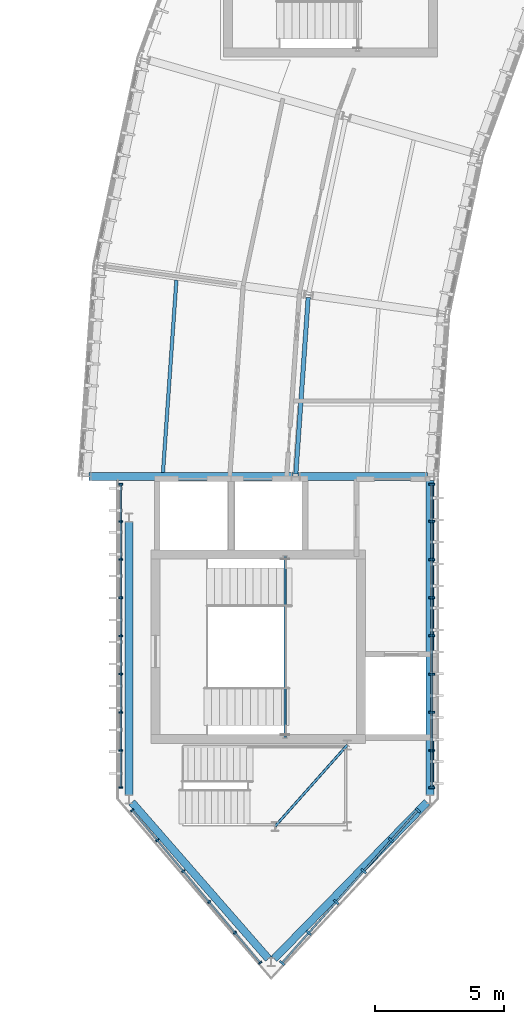
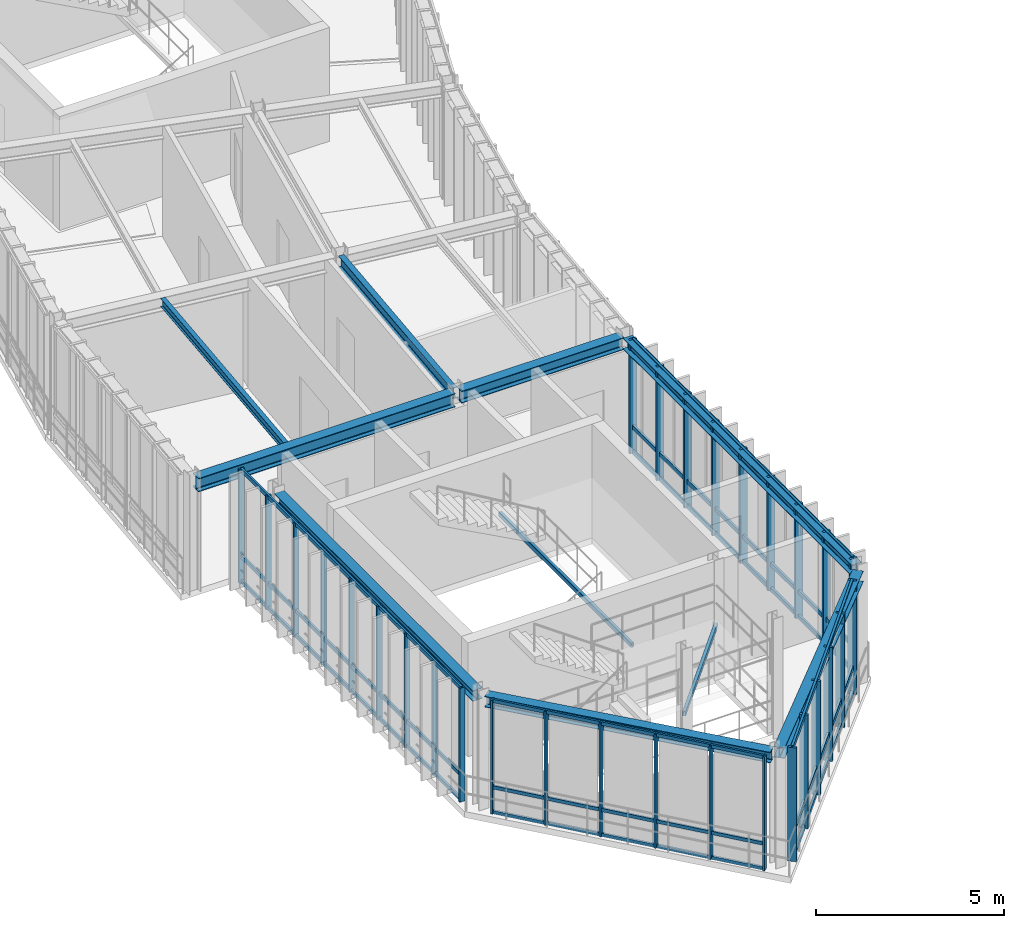
# One storey, part 8 of 41: 44 members, 8 beams, 4 elements without a shape of their own.
"""IFC4 building model written with IfcOpenShell, lengths in metres."""

from ifc_helpers import new_model, si_unit, direction, frame, origin, origin_2d, place, context, subcontext, project, spatial, rectangle, hollow_rectangle, i_section, extrude, material, layer, layer_set, material_profile, profile_set, type_object, element, aggregate, save


model = new_model("IFC4")

# Units and contexts
model_context = context("Model", 3, precision=1e-05, world=origin(), true_north=direction((0.0, 1.0)))
body_context = subcontext(model_context, "Body", "Model", "MODEL_VIEW")
ifc_project = project(units=[si_unit("LENGTHUNIT", "METRE"), si_unit("AREAUNIT", "SQUARE_METRE"), si_unit("VOLUMEUNIT", "CUBIC_METRE"), si_unit("PLANEANGLEUNIT", "RADIAN"), si_unit("MASSUNIT", "GRAM", prefix="KILO"), si_unit("THERMODYNAMICTEMPERATUREUNIT", "KELVIN"), si_unit("POWERUNIT", "WATT")], contexts=[model_context])

# Site, building, storey
site_placement = place(None, origin())
site = spatial("IfcSite", under=ifc_project, at=site_placement, CompositionType="ELEMENT")
building_placement = place(site_placement, origin())
building = spatial("IfcBuilding", under=site, at=building_placement, Name="Solvatero Civic Police Headquarters", CompositionType="ELEMENT")
storey_placement = place(building_placement, frame((0.0, 0.0, 17.699951171875)))
storey = spatial("IfcBuildingStorey", under=building, at=storey_placement, Name="L04", CompositionType="ELEMENT", Elevation=17.699951171875)

# Beams
ifc_material_1 = material(Name="Steel S355", Category="steel")
ifc_material_profile_1 = material_profile(ifc_material_1, i_section(OverallWidth=0.300048828125, OverallDepth=0.35009765625, WebThickness=0.010009765625, FlangeThickness=0.017578125, FilletRadius=0.027099609375, at=origin_2d()), Name="HEA 360")
ifc_profile_set_1 = profile_set([ifc_material_profile_1], Name="Steel S355")
beam_type_1 = type_object("IfcBeamType", Name="BM-ST-HEA360", PredefinedType="SPANDREL", material=ifc_profile_set_1)
beam_1_placement = place(storey_placement, frame((37.0, 24.239990234375, 3.525146484375), z_axis=(0.0, -1.0, 0.0), x_axis=(1.0, 0.0, 0.0)))
element("IfcBeam", 1, at=beam_1_placement, inside=storey, type_object=beam_type_1, Name="Perimeter / radial spandrel beam BM-R2-L04-PROW-W", PredefinedType="SPANDREL", context=body_context, shape_type="SweptSolid", body=[
    extrude(i_section(OverallWidth=0.300048828125, OverallDepth=0.35009765625, WebThickness=0.010009765625, FlangeThickness=0.017578125, FilletRadius=0.027099609375, at=origin_2d()), origin(), (0.0, 0.0, 1.0), 10.580078125),
])
beam_2_placement = place(storey_placement, frame((37.105224609375, 13.37939453125, 3.525146484375), z_axis=(0.657663937616, -0.753311452959, 0.0), x_axis=(0.753311452959, 0.657663937616, 0.0)))
element("IfcBeam", 2, at=beam_2_placement, inside=storey, type_object=beam_type_1, Name="Perimeter / radial spandrel beam BM-R2-L04-PROW-SW", PredefinedType="SPANDREL", context=body_context, shape_type="SweptSolid", body=[
    extrude(i_section(OverallWidth=0.300048828125, OverallDepth=0.35009765625, WebThickness=0.010009765625, FlangeThickness=0.017578125, FilletRadius=0.027099609375, at=origin_2d()), origin(), (0.0, 0.0, 1.0), 8.04296875),
])
beam_3_placement = place(storey_placement, frame((42.61181640625, 7.314453125, 3.525146484375), z_axis=(0.698523042205, 0.715587562433, 0.0), x_axis=(-0.715587562433, 0.698523042205, 0.0)))
element("IfcBeam", 3, at=beam_3_placement, inside=storey, type_object=beam_type_1, Name="Perimeter / radial spandrel beam BM-R2-L04-PROW-SE", PredefinedType="SPANDREL", context=body_context, shape_type="SweptSolid", body=[
    extrude(i_section(OverallWidth=0.300048828125, OverallDepth=0.35009765625, WebThickness=0.010009765625, FlangeThickness=0.017578125, FilletRadius=0.027099609375, at=origin_2d()), origin(), (0.0, 0.0, 1.0), 8.48388671875),
])
beam_4_placement = place(storey_placement, frame((48.64990234375, 13.659912109375, 3.525146484375), z_axis=(0.0, 1.0, 0.0), x_axis=(-1.0, 0.0, 0.0)))
element("IfcBeam", 4, at=beam_4_placement, inside=storey, type_object=beam_type_1, Name="Perimeter / radial spandrel beam BM-R2-L04-PROW-E", PredefinedType="SPANDREL", context=body_context, shape_type="SweptSolid", body=[
    extrude(i_section(OverallWidth=0.300048828125, OverallDepth=0.35009765625, WebThickness=0.010009765625, FlangeThickness=0.017578125, FilletRadius=0.027099609375, at=origin_2d()), origin(), (0.0, 0.0, 1.0), 12.18017578125),
])
ifc_material_profile_2 = material_profile(ifc_material_1, i_section(OverallWidth=0.300048828125, OverallDepth=0.389892578125, WebThickness=0.010986328125, FlangeThickness=0.01904296875, FilletRadius=0.027099609375, at=origin_2d()), Name="HEA 400")
ifc_profile_set_2 = profile_set([ifc_material_profile_2], Name="Steel S355")
beam_type_2 = type_object("IfcBeamType", Name="BM-ST-HEA400", PredefinedType="BEAM", material=ifc_profile_set_2)
beam_5_placement = place(storey_placement, frame((48.550048828125, 26.0, 3.505126953125), z_axis=(-1.0, 0.0, 0.0), x_axis=(0.0, -1.0, 0.0)))
element("IfcBeam", 5, at=beam_5_placement, inside=storey, type_object=beam_type_2, Name="Primary girder BM-R2-L04-ARC-RAD1-S12", PredefinedType="BEAM", context=body_context, shape_type="SweptSolid", body=[
    extrude(i_section(OverallWidth=0.300048828125, OverallDepth=0.389892578125, WebThickness=0.010986328125, FlangeThickness=0.01904296875, FilletRadius=0.027099609375, at=origin_2d()), origin(), (0.0, 0.0, 1.0), 5.0),
])
ifc_material_profile_3 = material_profile(ifc_material_1, i_section(OverallWidth=0.300048828125, OverallDepth=0.43994140625, WebThickness=0.011474609375, FlangeThickness=0.02099609375, FilletRadius=0.027099609375, at=origin_2d()), Name="HEA 450")
ifc_profile_set_3 = profile_set([ifc_material_profile_3], Name="Steel S355")
beam_type_3 = type_object("IfcBeamType", Name="BM-ST-HEA450", PredefinedType="BEAM", material=ifc_profile_set_3)
beam_6_placement = place(storey_placement, frame((43.35009765625, 26.0, 3.47998046875), z_axis=(-1.0, 0.0, 0.0), x_axis=(0.0, -1.0, 0.0)))
element("IfcBeam", 6, at=beam_6_placement, inside=storey, type_object=beam_type_3, Name="Primary girder BM-R2-L04-ARC-RAD2-S12", PredefinedType="BEAM", context=body_context, shape_type="SweptSolid", body=[
    extrude(i_section(OverallWidth=0.300048828125, OverallDepth=0.43994140625, WebThickness=0.011474609375, FlangeThickness=0.02099609375, FilletRadius=0.027099609375, at=origin_2d()), origin(), (0.0, 0.0, 1.0), 7.900146484375),
])
ifc_material_profile_4 = material_profile(ifc_material_1, i_section(OverallWidth=0.135009765625, OverallDepth=0.27001953125, WebThickness=0.006591796875, FlangeThickness=0.01025390625, FilletRadius=0.014892578125, at=origin_2d()), Name="IPE 270")
ifc_profile_set_4 = profile_set([ifc_material_profile_4], Name="Steel S355")
beam_type_4 = type_object("IfcBeamType", Name="BM-ST-IPE270", PredefinedType="BEAM", material=ifc_profile_set_4)
beam_7_placement = place(storey_placement, frame((38.83154296875, 33.602294921875, 3.56494140625), z_axis=(-0.069737421409, -0.997565382346, 0.0), x_axis=(0.997565382346, -0.069737421409, 0.0)))
element("IfcBeam", 7, at=beam_7_placement, inside=storey, type_object=beam_type_4, Name="Composite floor beam BM-R2-L04-ARC-CS2-B12", PredefinedType="BEAM", context=body_context, shape_type="SweptSolid", body=[
    extrude(i_section(OverallWidth=0.135009765625, OverallDepth=0.27001953125, WebThickness=0.006591796875, FlangeThickness=0.01025390625, FilletRadius=0.014892578125, at=origin_2d()), origin(), (0.0, 0.0, 1.0), 7.470947265625),
])
ifc_material_profile_5 = material_profile(ifc_material_1, i_section(OverallWidth=0.169921875, OverallDepth=0.360107421875, WebThickness=0.008056640625, FlangeThickness=0.0126953125, FilletRadius=0.01806640625, at=origin_2d()), Name="IPE 360")
ifc_profile_set_5 = profile_set([ifc_material_profile_5], Name="Steel S355")
beam_type_5 = type_object("IfcBeamType", Name="BM-ST-IPE360", PredefinedType="BEAM", material=ifc_profile_set_5)
beam_8_placement = place(storey_placement, frame((43.934814453125, 32.935302734375, 3.52001953125), z_axis=(-0.069727722696, -0.997566060313, 0.0), x_axis=(0.997566060313, -0.069727722696, 0.0)))
element("IfcBeam", 8, at=beam_8_placement, inside=storey, type_object=beam_type_5, Name="Composite floor beam BM-R2-L04-ARC-CMID-B12", PredefinedType="BEAM", context=body_context, shape_type="SweptSolid", body=[
    extrude(i_section(OverallWidth=0.169921875, OverallDepth=0.360107421875, WebThickness=0.008056640625, FlangeThickness=0.0126953125, FilletRadius=0.01806640625, at=origin_2d()), origin(), (0.0, 0.0, 1.0), 6.85205078125),
])

# Curtain wall, members
ifc_material_2 = material(Name="Anodized Bronze Aluminium", Category="aluminium")
ifc_layer = layer(ifc_material_2, 0.179931640625)
ifc_layer_set = layer_set([ifc_layer], Name="Anodized Bronze Aluminium")
curtain_wall_type = type_object("IfcCurtainWallType", Name="CW-PROW-GLZ", PredefinedType="USERDEFINED", material=ifc_layer_set)
curtain_wall_1_placement = place(storey_placement, origin())
curtain_wall_1 = element("IfcCurtainWall", 9, at=curtain_wall_1_placement, inside=storey, type_object=curtain_wall_type, Name="Curtain Wall CW-R2-L04-PROW-SE", ObjectType="UNITISED", PredefinedType="USERDEFINED")
ifc_material_profile_6 = material_profile(ifc_material_2, rectangle(XDim=0.080078125, YDim=0.239990234375, at=origin_2d()), Name="ALU MULLION 80x240")
ifc_profile_set_6 = profile_set([ifc_material_profile_6], Name="Anodized Bronze Aluminium")
member_type_1 = type_object("IfcMemberType", Name="CWM-140x60", PredefinedType="MULLION", material=ifc_profile_set_6)
member_1_placement = place(storey_placement, frame((42.921142578125, 7.159912109375, 0.0), z_axis=(0.0, 0.0, 1.0), x_axis=(0.664669821698, 0.74713722175, 0.0)))
member_1 = element("IfcMember", 10, at=member_1_placement, type_object=member_type_1, Name="CW-R2-L04-PROW-SE Mullion 1", PredefinedType="MULLION", context=body_context, shape_type="SweptSolid", body=[
    extrude(rectangle(XDim=0.080078125, YDim=0.239990234375, at=origin_2d()), origin(), (0.0, 0.0, 1.0), 3.699951171875),
])
member_2_placement = place(storey_placement, frame((43.95751953125, 8.3251953125, 0.0), z_axis=(0.0, 0.0, 1.0), x_axis=(0.664669821698, 0.74713722175, 0.0)))
member_2 = element("IfcMember", 11, at=member_2_placement, type_object=member_type_1, Name="CW-R2-L04-PROW-SE Mullion 2", PredefinedType="MULLION", context=body_context, shape_type="SweptSolid", body=[
    extrude(rectangle(XDim=0.080078125, YDim=0.239990234375, at=origin_2d()), origin(), (0.0, 0.0, 1.0), 3.699951171875),
])
member_3_placement = place(storey_placement, frame((45.020751953125, 9.52001953125, 0.0), z_axis=(0.0, 0.0, 1.0), x_axis=(0.664669821698, 0.74713722175, 0.0)))
member_3 = element("IfcMember", 12, at=member_3_placement, type_object=member_type_1, Name="CW-R2-L04-PROW-SE Mullion 3", PredefinedType="MULLION", context=body_context, shape_type="SweptSolid", body=[
    extrude(rectangle(XDim=0.080078125, YDim=0.239990234375, at=origin_2d()), origin(), (0.0, 0.0, 1.0), 3.699951171875),
])
member_4_placement = place(storey_placement, frame((46.083984375, 10.715087890625, 0.0), z_axis=(0.0, 0.0, 1.0), x_axis=(0.664669821698, 0.74713722175, 0.0)))
member_4 = element("IfcMember", 13, at=member_4_placement, type_object=member_type_1, Name="CW-R2-L04-PROW-SE Mullion 4", PredefinedType="MULLION", context=body_context, shape_type="SweptSolid", body=[
    extrude(rectangle(XDim=0.080078125, YDim=0.239990234375, at=origin_2d()), origin(), (0.0, 0.0, 1.0), 3.699951171875),
])
member_5_placement = place(storey_placement, frame((47.14697265625, 11.91015625, 0.0), z_axis=(0.0, 0.0, 1.0), x_axis=(0.664669821698, 0.74713722175, 0.0)))
member_5 = element("IfcMember", 14, at=member_5_placement, type_object=member_type_1, Name="CW-R2-L04-PROW-SE Mullion 5", PredefinedType="MULLION", context=body_context, shape_type="SweptSolid", body=[
    extrude(rectangle(XDim=0.080078125, YDim=0.239990234375, at=origin_2d()), origin(), (0.0, 0.0, 1.0), 3.699951171875),
])
member_6_placement = place(storey_placement, frame((48.18359375, 13.0751953125, 0.0), z_axis=(0.0, 0.0, 1.0), x_axis=(0.664669821698, 0.74713722175, 0.0)))
member_6 = element("IfcMember", 15, at=member_6_placement, type_object=member_type_1, Name="CW-R2-L04-PROW-SE Mullion 6", PredefinedType="MULLION", context=body_context, shape_type="SweptSolid", body=[
    extrude(rectangle(XDim=0.080078125, YDim=0.239990234375, at=origin_2d()), origin(), (0.0, 0.0, 1.0), 3.699951171875),
])

curtain_wall_2_placement = place(storey_placement, origin())
curtain_wall_2 = element("IfcCurtainWall", 16, at=curtain_wall_2_placement, inside=storey, type_object=curtain_wall_type, Name="Curtain Wall CW-R2-L04-PROW-SW", ObjectType="UNITISED", PredefinedType="USERDEFINED")
ifc_material_profile_7 = material_profile(ifc_material_2, rectangle(XDim=0.06005859375, YDim=0.139892578125, at=origin_2d()), Name="ALU MULLION 60x140")
ifc_profile_set_7 = profile_set([ifc_material_profile_7], Name="Anodized Bronze Aluminium")
member_type_2 = type_object("IfcMemberType", Name="CWM-160x65", PredefinedType="MULLION", material=ifc_profile_set_7)
member_7_placement = place(storey_placement, frame((37.1142578125, 13.073486328125, 0.0), z_axis=(0.0, 0.0, 1.0), x_axis=(0.643282165541, -0.765629189293, 0.0)))
member_7 = element("IfcMember", 17, at=member_7_placement, type_object=member_type_2, Name="CW-R2-L04-PROW-SW Mullion 1", PredefinedType="MULLION", context=body_context, shape_type="SweptSolid", body=[
    extrude(rectangle(XDim=0.06005859375, YDim=0.139892578125, at=origin_2d()), origin(), (0.0, 0.0, 1.0), 3.699951171875),
])
member_8_placement = place(storey_placement, frame((38.091064453125, 11.910888671875, 0.0), z_axis=(0.0, 0.0, 1.0), x_axis=(0.643282165541, -0.765629189293, 0.0)))
member_8 = element("IfcMember", 18, at=member_8_placement, type_object=member_type_2, Name="CW-R2-L04-PROW-SW Mullion 2", PredefinedType="MULLION", context=body_context, shape_type="SweptSolid", body=[
    extrude(rectangle(XDim=0.06005859375, YDim=0.139892578125, at=origin_2d()), origin(), (0.0, 0.0, 1.0), 3.699951171875),
])
member_9_placement = place(storey_placement, frame((39.093505859375, 10.718017578125, 0.0), z_axis=(0.0, 0.0, 1.0), x_axis=(0.643282165541, -0.765629189293, 0.0)))
member_9 = element("IfcMember", 19, at=member_9_placement, type_object=member_type_2, Name="CW-R2-L04-PROW-SW Mullion 3", PredefinedType="MULLION", context=body_context, shape_type="SweptSolid", body=[
    extrude(rectangle(XDim=0.06005859375, YDim=0.139892578125, at=origin_2d()), origin(), (0.0, 0.0, 1.0), 3.699951171875),
])
member_10_placement = place(storey_placement, frame((40.095947265625, 9.52490234375, 0.0), z_axis=(0.0, 0.0, 1.0), x_axis=(0.643282165541, -0.765629189293, 0.0)))
member_10 = element("IfcMember", 20, at=member_10_placement, type_object=member_type_2, Name="CW-R2-L04-PROW-SW Mullion 4", PredefinedType="MULLION", context=body_context, shape_type="SweptSolid", body=[
    extrude(rectangle(XDim=0.06005859375, YDim=0.139892578125, at=origin_2d()), origin(), (0.0, 0.0, 1.0), 3.699951171875),
])
member_11_placement = place(storey_placement, frame((41.098388671875, 8.331787109375, 0.0), z_axis=(0.0, 0.0, 1.0), x_axis=(0.643282165541, -0.765629189293, 0.0)))
member_11 = element("IfcMember", 21, at=member_11_placement, type_object=member_type_2, Name="CW-R2-L04-PROW-SW Mullion 5", PredefinedType="MULLION", context=body_context, shape_type="SweptSolid", body=[
    extrude(rectangle(XDim=0.06005859375, YDim=0.139892578125, at=origin_2d()), origin(), (0.0, 0.0, 1.0), 3.699951171875),
])
member_12_placement = place(storey_placement, frame((42.074951171875, 7.169189453125, 0.0), z_axis=(0.0, 0.0, 1.0), x_axis=(0.643282165541, -0.765629189293, 0.0)))
member_12 = element("IfcMember", 22, at=member_12_placement, type_object=member_type_2, Name="CW-R2-L04-PROW-SW Mullion 6", PredefinedType="MULLION", context=body_context, shape_type="SweptSolid", body=[
    extrude(rectangle(XDim=0.06005859375, YDim=0.139892578125, at=origin_2d()), origin(), (0.0, 0.0, 1.0), 3.699951171875),
])

curtain_wall_3_placement = place(storey_placement, origin())
curtain_wall_3 = element("IfcCurtainWall", 23, at=curtain_wall_3_placement, inside=storey, type_object=curtain_wall_type, Name="Curtain Wall CW-R2-L04-PROW-W", ObjectType="UNITISED", PredefinedType="USERDEFINED")
ifc_material_profile_8 = material_profile(ifc_material_2, rectangle(XDim=0.06005859375, YDim=0.159912109375, at=origin_2d()), Name="ALU MULLION 60x160")
ifc_profile_set_8 = profile_set([ifc_material_profile_8], Name="Anodized Bronze Aluminium")
member_type_3 = type_object("IfcMemberType", Name="CWM-180x70", PredefinedType="MULLION", material=ifc_profile_set_8)
member_13_placement = place(storey_placement, frame((36.679931640625, 25.699951171875, 0.0), z_axis=(0.0, 0.0, 1.0), x_axis=(0.0, -1.0, 0.0)))
member_13 = element("IfcMember", 24, at=member_13_placement, type_object=member_type_3, Name="CW-R2-L04-PROW-W Mullion 1", PredefinedType="MULLION", context=body_context, shape_type="SweptSolid", body=[
    extrude(rectangle(XDim=0.06005859375, YDim=0.159912109375, at=origin_2d()), origin(), (0.0, 0.0, 1.0), 3.699951171875),
])
member_14_placement = place(storey_placement, frame((36.679931640625, 24.26123046875, 0.0), z_axis=(0.0, 0.0, 1.0), x_axis=(0.0, -1.0, 0.0)))
member_14 = element("IfcMember", 25, at=member_14_placement, type_object=member_type_3, Name="CW-R2-L04-PROW-W Mullion 2", PredefinedType="MULLION", context=body_context, shape_type="SweptSolid", body=[
    extrude(rectangle(XDim=0.06005859375, YDim=0.159912109375, at=origin_2d()), origin(), (0.0, 0.0, 1.0), 3.699951171875),
])
member_15_placement = place(storey_placement, frame((36.679931640625, 22.782470703125, 0.0), z_axis=(0.0, 0.0, 1.0), x_axis=(0.0, -1.0, 0.0)))
member_15 = element("IfcMember", 26, at=member_15_placement, type_object=member_type_3, Name="CW-R2-L04-PROW-W Mullion 3", PredefinedType="MULLION", context=body_context, shape_type="SweptSolid", body=[
    extrude(rectangle(XDim=0.06005859375, YDim=0.159912109375, at=origin_2d()), origin(), (0.0, 0.0, 1.0), 3.699951171875),
])
member_16_placement = place(storey_placement, frame((36.679931640625, 21.3037109375, 0.0), z_axis=(0.0, 0.0, 1.0), x_axis=(0.0, -1.0, 0.0)))
member_16 = element("IfcMember", 27, at=member_16_placement, type_object=member_type_3, Name="CW-R2-L04-PROW-W Mullion 4", PredefinedType="MULLION", context=body_context, shape_type="SweptSolid", body=[
    extrude(rectangle(XDim=0.06005859375, YDim=0.159912109375, at=origin_2d()), origin(), (0.0, 0.0, 1.0), 3.699951171875),
])
member_17_placement = place(storey_placement, frame((36.679931640625, 19.824951171875, 0.0), z_axis=(0.0, 0.0, 1.0), x_axis=(0.0, -1.0, 0.0)))
member_17 = element("IfcMember", 28, at=member_17_placement, type_object=member_type_3, Name="CW-R2-L04-PROW-W Mullion 5", PredefinedType="MULLION", context=body_context, shape_type="SweptSolid", body=[
    extrude(rectangle(XDim=0.06005859375, YDim=0.159912109375, at=origin_2d()), origin(), (0.0, 0.0, 1.0), 3.699951171875),
])
member_18_placement = place(storey_placement, frame((36.679931640625, 18.34619140625, 0.0), z_axis=(0.0, 0.0, 1.0), x_axis=(0.0, -1.0, 0.0)))
member_18 = element("IfcMember", 29, at=member_18_placement, type_object=member_type_3, Name="CW-R2-L04-PROW-W Mullion 6", PredefinedType="MULLION", context=body_context, shape_type="SweptSolid", body=[
    extrude(rectangle(XDim=0.06005859375, YDim=0.159912109375, at=origin_2d()), origin(), (0.0, 0.0, 1.0), 3.699951171875),
])
member_19_placement = place(storey_placement, frame((36.679931640625, 16.867431640625, 0.0), z_axis=(0.0, 0.0, 1.0), x_axis=(0.0, -1.0, 0.0)))
member_19 = element("IfcMember", 30, at=member_19_placement, type_object=member_type_3, Name="CW-R2-L04-PROW-W Mullion 7", PredefinedType="MULLION", context=body_context, shape_type="SweptSolid", body=[
    extrude(rectangle(XDim=0.06005859375, YDim=0.159912109375, at=origin_2d()), origin(), (0.0, 0.0, 1.0), 3.699951171875),
])
member_20_placement = place(storey_placement, frame((36.679931640625, 15.388671875, 0.0), z_axis=(0.0, 0.0, 1.0), x_axis=(0.0, -1.0, 0.0)))
member_20 = element("IfcMember", 31, at=member_20_placement, type_object=member_type_3, Name="CW-R2-L04-PROW-W Mullion 8", PredefinedType="MULLION", context=body_context, shape_type="SweptSolid", body=[
    extrude(rectangle(XDim=0.06005859375, YDim=0.159912109375, at=origin_2d()), origin(), (0.0, 0.0, 1.0), 3.699951171875),
])
member_21_placement = place(storey_placement, frame((36.679931640625, 13.949951171875, 0.0), z_axis=(0.0, 0.0, 1.0), x_axis=(0.0, -1.0, 0.0)))
member_21 = element("IfcMember", 32, at=member_21_placement, type_object=member_type_3, Name="CW-R2-L04-PROW-W Mullion 9", PredefinedType="MULLION", context=body_context, shape_type="SweptSolid", body=[
    extrude(rectangle(XDim=0.06005859375, YDim=0.159912109375, at=origin_2d()), origin(), (0.0, 0.0, 1.0), 3.699951171875),
])

curtain_wall_4_placement = place(storey_placement, origin())
curtain_wall_4 = element("IfcCurtainWall", 33, at=curtain_wall_4_placement, inside=storey, type_object=curtain_wall_type, Name="Curtain Wall CW-R2-L04-PROW-E", ObjectType="UNITISED", PredefinedType="USERDEFINED")
ifc_material_profile_9 = material_profile(ifc_material_2, rectangle(XDim=0.074951171875, YDim=0.219970703125, at=origin_2d()), Name="ALU MULLION 75x220")
ifc_profile_set_9 = profile_set([ifc_material_profile_9], Name="Anodized Bronze Aluminium")
member_type_4 = type_object("IfcMemberType", Name="CWM-250x85", PredefinedType="MULLION", material=ifc_profile_set_9)
member_22_placement = place(storey_placement, frame((48.719970703125, 13.949951171875, 0.0), z_axis=(0.0, 0.0, 1.0), x_axis=(0.0, 1.0, 0.0)))
member_22 = element("IfcMember", 34, at=member_22_placement, type_object=member_type_4, Name="CW-R2-L04-PROW-E Mullion 1", PredefinedType="MULLION", context=body_context, shape_type="SweptSolid", body=[
    extrude(rectangle(XDim=0.074951171875, YDim=0.219970703125, at=origin_2d()), origin(), (0.0, 0.0, 1.0), 3.699951171875),
])
member_23_placement = place(storey_placement, frame((48.719970703125, 15.388671875, 0.0), z_axis=(0.0, 0.0, 1.0), x_axis=(0.0, 1.0, 0.0)))
member_23 = element("IfcMember", 35, at=member_23_placement, type_object=member_type_4, Name="CW-R2-L04-PROW-E Mullion 2", PredefinedType="MULLION", context=body_context, shape_type="SweptSolid", body=[
    extrude(rectangle(XDim=0.074951171875, YDim=0.219970703125, at=origin_2d()), origin(), (0.0, 0.0, 1.0), 3.699951171875),
])
member_24_placement = place(storey_placement, frame((48.719970703125, 16.867431640625, 0.0), z_axis=(0.0, 0.0, 1.0), x_axis=(0.0, 1.0, 0.0)))
member_24 = element("IfcMember", 36, at=member_24_placement, type_object=member_type_4, Name="CW-R2-L04-PROW-E Mullion 3", PredefinedType="MULLION", context=body_context, shape_type="SweptSolid", body=[
    extrude(rectangle(XDim=0.074951171875, YDim=0.219970703125, at=origin_2d()), origin(), (0.0, 0.0, 1.0), 3.699951171875),
])
member_25_placement = place(storey_placement, frame((48.719970703125, 18.34619140625, 0.0), z_axis=(0.0, 0.0, 1.0), x_axis=(0.0, 1.0, 0.0)))
member_25 = element("IfcMember", 37, at=member_25_placement, type_object=member_type_4, Name="CW-R2-L04-PROW-E Mullion 4", PredefinedType="MULLION", context=body_context, shape_type="SweptSolid", body=[
    extrude(rectangle(XDim=0.074951171875, YDim=0.219970703125, at=origin_2d()), origin(), (0.0, 0.0, 1.0), 3.699951171875),
])
member_26_placement = place(storey_placement, frame((48.719970703125, 19.824951171875, 0.0), z_axis=(0.0, 0.0, 1.0), x_axis=(0.0, 1.0, 0.0)))
member_26 = element("IfcMember", 38, at=member_26_placement, type_object=member_type_4, Name="CW-R2-L04-PROW-E Mullion 5", PredefinedType="MULLION", context=body_context, shape_type="SweptSolid", body=[
    extrude(rectangle(XDim=0.074951171875, YDim=0.219970703125, at=origin_2d()), origin(), (0.0, 0.0, 1.0), 3.699951171875),
])
member_27_placement = place(storey_placement, frame((48.719970703125, 21.3037109375, 0.0), z_axis=(0.0, 0.0, 1.0), x_axis=(0.0, 1.0, 0.0)))
member_27 = element("IfcMember", 39, at=member_27_placement, type_object=member_type_4, Name="CW-R2-L04-PROW-E Mullion 6", PredefinedType="MULLION", context=body_context, shape_type="SweptSolid", body=[
    extrude(rectangle(XDim=0.074951171875, YDim=0.219970703125, at=origin_2d()), origin(), (0.0, 0.0, 1.0), 3.699951171875),
])
member_28_placement = place(storey_placement, frame((48.719970703125, 22.782470703125, 0.0), z_axis=(0.0, 0.0, 1.0), x_axis=(0.0, 1.0, 0.0)))
member_28 = element("IfcMember", 40, at=member_28_placement, type_object=member_type_4, Name="CW-R2-L04-PROW-E Mullion 7", PredefinedType="MULLION", context=body_context, shape_type="SweptSolid", body=[
    extrude(rectangle(XDim=0.074951171875, YDim=0.219970703125, at=origin_2d()), origin(), (0.0, 0.0, 1.0), 3.699951171875),
])
member_29_placement = place(storey_placement, frame((48.719970703125, 24.26123046875, 0.0), z_axis=(0.0, 0.0, 1.0), x_axis=(0.0, 1.0, 0.0)))
member_29 = element("IfcMember", 41, at=member_29_placement, type_object=member_type_4, Name="CW-R2-L04-PROW-E Mullion 8", PredefinedType="MULLION", context=body_context, shape_type="SweptSolid", body=[
    extrude(rectangle(XDim=0.074951171875, YDim=0.219970703125, at=origin_2d()), origin(), (0.0, 0.0, 1.0), 3.699951171875),
])
member_30_placement = place(storey_placement, frame((48.719970703125, 25.699951171875, 0.0), z_axis=(0.0, 0.0, 1.0), x_axis=(0.0, 1.0, 0.0)))
member_30 = element("IfcMember", 42, at=member_30_placement, type_object=member_type_4, Name="CW-R2-L04-PROW-E Mullion 9", PredefinedType="MULLION", context=body_context, shape_type="SweptSolid", body=[
    extrude(rectangle(XDim=0.074951171875, YDim=0.219970703125, at=origin_2d()), origin(), (0.0, 0.0, 1.0), 3.699951171875),
])

# Member
ifc_material_profile_10 = material_profile(ifc_material_2, rectangle(XDim=0.070068359375, YDim=0.159912109375, at=origin_2d()), Name="ALU TRANSOM 70x160")
ifc_profile_set_10 = profile_set([ifc_material_profile_10], Name="Anodized Bronze Aluminium")
member_type_5 = type_object("IfcMemberType", Name="CWT-120x55", PredefinedType="USERDEFINED", material=ifc_profile_set_10)
member_31_placement = place(storey_placement, frame((42.927734375, 7.16748046875, 0.0400390625), z_axis=(0.664680380494, 0.747127828277, 0.0), x_axis=(-0.747127828277, 0.664680380494, 0.0)))
member_31 = element("IfcMember", 43, at=member_31_placement, type_object=member_type_5, Name="CW-R2-L04-PROW-SE Transom 1", ObjectType="TRANSOM", PredefinedType="USERDEFINED", context=body_context, shape_type="SweptSolid", body=[
    extrude(rectangle(XDim=0.070068359375, YDim=0.159912109375, at=origin_2d()), origin(), (0.0, 0.0, 1.0), 7.8974609375),
])

member_32_placement = place(storey_placement, frame((42.927734375, 7.16748046875, 0.85009765625), z_axis=(0.664680380494, 0.747127828277, 0.0), x_axis=(-0.747127828277, 0.664680380494, 0.0)))
member_32 = element("IfcMember", 44, at=member_32_placement, type_object=member_type_5, Name="CW-R2-L04-PROW-SE Transom 2", ObjectType="TRANSOM", PredefinedType="USERDEFINED", context=body_context, shape_type="SweptSolid", body=[
    extrude(rectangle(XDim=0.070068359375, YDim=0.159912109375, at=origin_2d()), origin(), (0.0, 0.0, 1.0), 7.8974609375),
])

member_33_placement = place(storey_placement, frame((42.927734375, 7.16748046875, 3.66015625), z_axis=(0.664680380494, 0.747127828277, 0.0), x_axis=(-0.747127828277, 0.664680380494, 0.0)))
member_33 = element("IfcMember", 45, at=member_33_placement, type_object=member_type_5, Name="CW-R2-L04-PROW-SE Transom 3", ObjectType="TRANSOM", PredefinedType="USERDEFINED", context=body_context, shape_type="SweptSolid", body=[
    extrude(rectangle(XDim=0.070068359375, YDim=0.159912109375, at=origin_2d()), origin(), (0.0, 0.0, 1.0), 7.8974609375),
])

aggregate(curtain_wall_1, [member_1, member_2, member_3, member_4, member_5, member_6, member_31, member_32, member_33])

ifc_material_profile_11 = material_profile(ifc_material_2, rectangle(XDim=0.06005859375, YDim=0.110107421875, at=origin_2d()), Name="ALU TRANSOM 60x110")
ifc_profile_set_11 = profile_set([ifc_material_profile_11], Name="Anodized Bronze Aluminium")
member_type_6 = type_object("IfcMemberType", Name="CWT-140x60", PredefinedType="USERDEFINED", material=ifc_profile_set_11)
member_34_placement = place(storey_placement, frame((37.120849609375, 13.06591796875, 0.0400390625), z_axis=(0.643273223136, -0.765636702618, 0.0), x_axis=(0.765636702618, 0.643273223136, 0.0)))
member_34 = element("IfcMember", 46, at=member_34_placement, type_object=member_type_6, Name="CW-R2-L04-PROW-SW Transom 1", ObjectType="TRANSOM", PredefinedType="USERDEFINED", context=body_context, shape_type="SweptSolid", body=[
    extrude(rectangle(XDim=0.06005859375, YDim=0.110107421875, at=origin_2d()), origin(), (0.0, 0.0, 1.0), 7.69140625),
])

member_35_placement = place(storey_placement, frame((37.120849609375, 13.06591796875, 0.85009765625), z_axis=(0.643273223136, -0.765636702618, 0.0), x_axis=(0.765636702618, 0.643273223136, 0.0)))
member_35 = element("IfcMember", 47, at=member_35_placement, type_object=member_type_6, Name="CW-R2-L04-PROW-SW Transom 2", ObjectType="TRANSOM", PredefinedType="USERDEFINED", context=body_context, shape_type="SweptSolid", body=[
    extrude(rectangle(XDim=0.06005859375, YDim=0.110107421875, at=origin_2d()), origin(), (0.0, 0.0, 1.0), 7.69140625),
])

member_36_placement = place(storey_placement, frame((37.120849609375, 13.06591796875, 3.66015625), z_axis=(0.643273223136, -0.765636702618, 0.0), x_axis=(0.765636702618, 0.643273223136, 0.0)))
member_36 = element("IfcMember", 48, at=member_36_placement, type_object=member_type_6, Name="CW-R2-L04-PROW-SW Transom 3", ObjectType="TRANSOM", PredefinedType="USERDEFINED", context=body_context, shape_type="SweptSolid", body=[
    extrude(rectangle(XDim=0.06005859375, YDim=0.110107421875, at=origin_2d()), origin(), (0.0, 0.0, 1.0), 7.69140625),
])

aggregate(curtain_wall_2, [member_7, member_8, member_9, member_10, member_11, member_12, member_34, member_35, member_36])

ifc_material_profile_12 = material_profile(ifc_material_2, rectangle(XDim=0.06005859375, YDim=0.125, at=origin_2d()), Name="ALU TRANSOM 60x125")
ifc_profile_set_12 = profile_set([ifc_material_profile_12], Name="Anodized Bronze Aluminium")
member_type_7 = type_object("IfcMemberType", Name="CWT-160x65", PredefinedType="USERDEFINED", material=ifc_profile_set_12)
member_37_placement = place(storey_placement, frame((36.679931640625, 25.68994140625, 0.0400390625), z_axis=(0.0, -1.0, 0.0), x_axis=(1.0, 0.0, 0.0)))
member_37 = element("IfcMember", 49, at=member_37_placement, type_object=member_type_7, Name="CW-R2-L04-PROW-W Transom 1", ObjectType="TRANSOM", PredefinedType="USERDEFINED", context=body_context, shape_type="SweptSolid", body=[
    extrude(rectangle(XDim=0.06005859375, YDim=0.125, at=origin_2d()), origin(), (0.0, 0.0, 1.0), 11.72998046875),
])

member_38_placement = place(storey_placement, frame((36.679931640625, 25.68994140625, 0.85009765625), z_axis=(0.0, -1.0, 0.0), x_axis=(1.0, 0.0, 0.0)))
member_38 = element("IfcMember", 50, at=member_38_placement, type_object=member_type_7, Name="CW-R2-L04-PROW-W Transom 2", ObjectType="TRANSOM", PredefinedType="USERDEFINED", context=body_context, shape_type="SweptSolid", body=[
    extrude(rectangle(XDim=0.06005859375, YDim=0.125, at=origin_2d()), origin(), (0.0, 0.0, 1.0), 11.72998046875),
])

member_39_placement = place(storey_placement, frame((36.679931640625, 25.68994140625, 3.66015625), z_axis=(0.0, -1.0, 0.0), x_axis=(1.0, 0.0, 0.0)))
member_39 = element("IfcMember", 51, at=member_39_placement, type_object=member_type_7, Name="CW-R2-L04-PROW-W Transom 3", ObjectType="TRANSOM", PredefinedType="USERDEFINED", context=body_context, shape_type="SweptSolid", body=[
    extrude(rectangle(XDim=0.06005859375, YDim=0.125, at=origin_2d()), origin(), (0.0, 0.0, 1.0), 11.72998046875),
])

aggregate(curtain_wall_3, [member_13, member_14, member_15, member_16, member_17, member_18, member_19, member_20, member_21, member_37, member_38, member_39])

ifc_material_profile_13 = material_profile(ifc_material_2, rectangle(XDim=0.06494140625, YDim=0.139892578125, at=origin_2d()), Name="ALU TRANSOM 65x140")
ifc_profile_set_13 = profile_set([ifc_material_profile_13], Name="Anodized Bronze Aluminium")
member_type_8 = type_object("IfcMemberType", Name="CWT-180x70", PredefinedType="USERDEFINED", material=ifc_profile_set_13)
member_40_placement = place(storey_placement, frame((48.719970703125, 13.9599609375, 0.0400390625), z_axis=(0.0, 1.0, 0.0), x_axis=(-1.0, 0.0, 0.0)))
member_40 = element("IfcMember", 52, at=member_40_placement, type_object=member_type_8, Name="CW-R2-L04-PROW-E Transom 1", ObjectType="TRANSOM", PredefinedType="USERDEFINED", context=body_context, shape_type="SweptSolid", body=[
    extrude(rectangle(XDim=0.06494140625, YDim=0.139892578125, at=origin_2d()), origin(), (0.0, 0.0, 1.0), 11.72998046875),
])

member_41_placement = place(storey_placement, frame((48.719970703125, 13.9599609375, 0.85009765625), z_axis=(0.0, 1.0, 0.0), x_axis=(-1.0, 0.0, 0.0)))
member_41 = element("IfcMember", 53, at=member_41_placement, type_object=member_type_8, Name="CW-R2-L04-PROW-E Transom 2", ObjectType="TRANSOM", PredefinedType="USERDEFINED", context=body_context, shape_type="SweptSolid", body=[
    extrude(rectangle(XDim=0.06494140625, YDim=0.139892578125, at=origin_2d()), origin(), (0.0, 0.0, 1.0), 11.72998046875),
])

member_42_placement = place(storey_placement, frame((48.719970703125, 13.9599609375, 3.66015625), z_axis=(0.0, 1.0, 0.0), x_axis=(-1.0, 0.0, 0.0)))
member_42 = element("IfcMember", 54, at=member_42_placement, type_object=member_type_8, Name="CW-R2-L04-PROW-E Transom 3", ObjectType="TRANSOM", PredefinedType="USERDEFINED", context=body_context, shape_type="SweptSolid", body=[
    extrude(rectangle(XDim=0.06494140625, YDim=0.139892578125, at=origin_2d()), origin(), (0.0, 0.0, 1.0), 11.72998046875),
])

aggregate(curtain_wall_4, [member_22, member_23, member_24, member_25, member_26, member_27, member_28, member_29, member_30, member_40, member_41, member_42])

# Members
ifc_material_profile_14 = material_profile(ifc_material_1, hollow_rectangle(XDim=0.10009765625, YDim=0.14990234375, WallThickness=0.00634765625, InnerFilletRadius=0.00634765625, OuterFilletRadius=0.0126953125, at=origin_2d()), Name="RHS 150x100x6.3")
ifc_profile_set_14 = profile_set([ifc_material_profile_14], Name="Steel S355")
member_type_9 = type_object("IfcMemberType", Name="MB-BR-RHS150", PredefinedType="BRACE", material=ifc_profile_set_14)
member_43_placement = place(storey_placement, frame((43.0400390625, 15.8798828125, 1.675048828125), z_axis=(0.0, 1.0, 0.0), x_axis=(-1.0, 0.0, 0.0)))
element("IfcMember", 55, at=member_43_placement, inside=storey, type_object=member_type_9, Name="ST-C1 L04 Landing Support Beam", PredefinedType="BRACE", context=body_context, shape_type="SweptSolid", body=[
    extrude(hollow_rectangle(XDim=0.10009765625, YDim=0.14990234375, WallThickness=0.00634765625, InnerFilletRadius=0.00634765625, OuterFilletRadius=0.0126953125, at=origin_2d()), origin(), (0.0, 0.0, 1.0), 7.0400390625),
])
member_44_placement = place(storey_placement, frame((42.64990234375, 12.449951171875, 1.66015625), z_axis=(0.664353052544, 0.747418906354, 0.0), x_axis=(-0.747418906354, 0.664353052544, 0.0)))
element("IfcMember", 56, at=member_44_placement, inside=storey, type_object=member_type_9, Name="ST-PRW L04 Landing Beam", PredefinedType="BRACE", context=body_context, shape_type="SweptSolid", body=[
    extrude(hollow_rectangle(XDim=0.10009765625, YDim=0.14990234375, WallThickness=0.00634765625, InnerFilletRadius=0.00634765625, OuterFilletRadius=0.0126953125, at=origin_2d()), origin(), (0.0, 0.0, 1.0), 4.214599609375),
])

save(model, "model.ifc")
